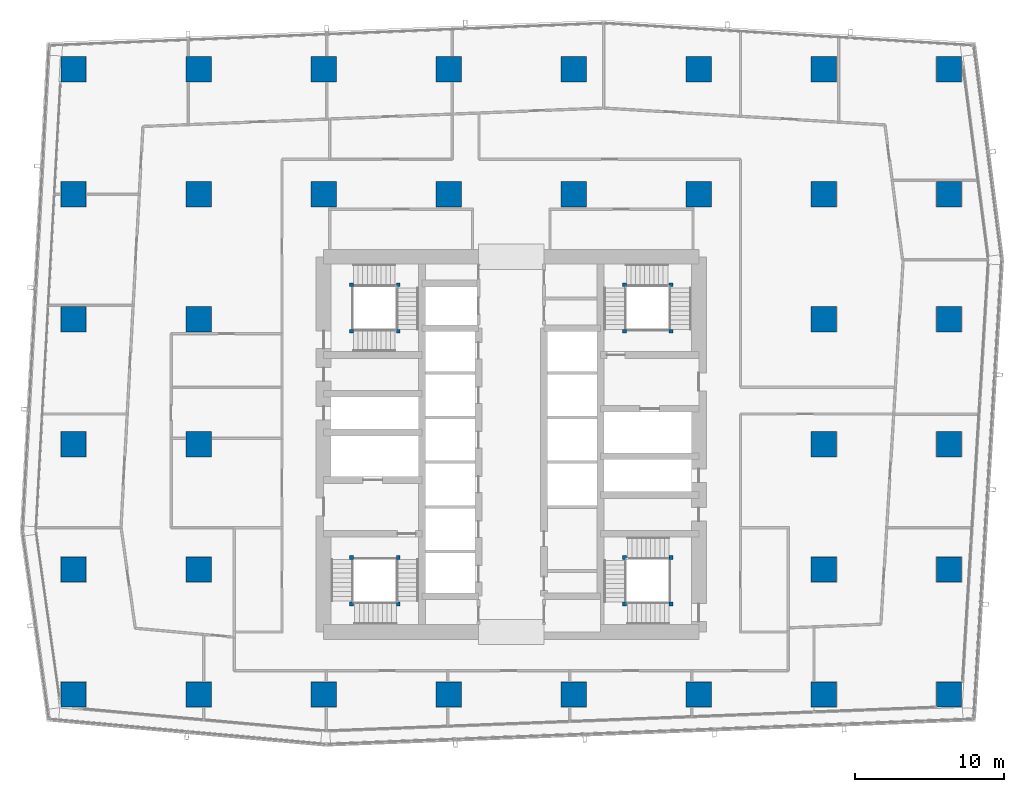
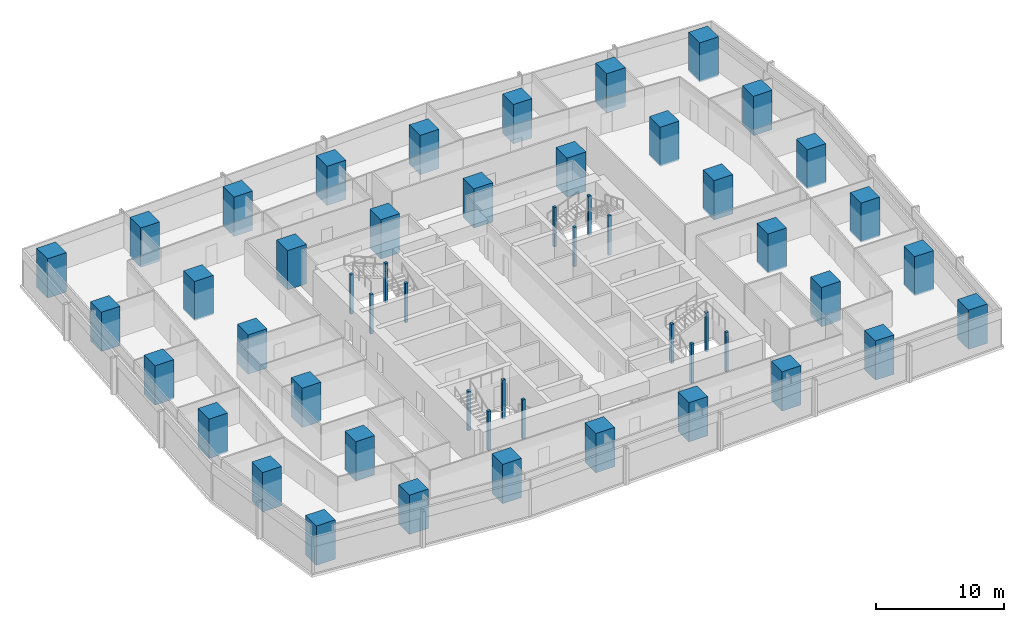
# One storey, part 1 of 40: 52 columns.
"""IFC4 building model written with IfcOpenShell, lengths in metres."""

from ifc_helpers import new_model, si_unit, direction, frame, origin, origin_2d, place, context, subcontext, project, spatial, rectangle, extrude, material, material_profile, profile_set, type_object, element, save


model = new_model("IFC4")

# Units and contexts
model_context = context("Model", 3, precision=1e-05, world=origin(), true_north=direction((0.0, 1.0)))
body_context = subcontext(model_context, "Body", "Model", "MODEL_VIEW")
ifc_project = project(units=[si_unit("LENGTHUNIT", "METRE"), si_unit("AREAUNIT", "SQUARE_METRE"), si_unit("VOLUMEUNIT", "CUBIC_METRE"), si_unit("PLANEANGLEUNIT", "RADIAN"), si_unit("MASSUNIT", "GRAM", prefix="KILO")], contexts=[model_context])

# Site, building, storey
site_placement = place(None, origin())
site = spatial("IfcSite", under=ifc_project, at=site_placement, CompositionType="ELEMENT")
building_placement = place(site_placement, origin())
building = spatial("IfcBuilding", under=site, at=building_placement, Name="Rekha Terrace Tower", CompositionType="ELEMENT")
storey_placement = place(building_placement, frame((0.0, 0.0, 140.300048828125)))
storey = spatial("IfcBuildingStorey", under=building, at=storey_placement, Name="L35", CompositionType="ELEMENT", Elevation=140.300048828125)

# Columns
ifc_material_1 = material(Name="Concrete M70", Category="concrete")
ifc_material_profile_1 = material_profile(ifc_material_1, rectangle(XDim=1.699951171875, YDim=1.699951171875, at=origin_2d()), Name="RC 1700x1700")
ifc_profile_set_1 = profile_set([ifc_material_profile_1], Name="Concrete M70")
column_type_1 = type_object("IfcColumnType", Name="C3 1700x1700 column", PredefinedType="COLUMN", material=ifc_profile_set_1)
for number, where, z_axis, x_axis, name in (
    (1, (8.39990234375, 16.800048828125, 0.0), (0.0, 0.0, 1.0), (1.0, 0.0, 0.0), "Column C3 2/C L35"),
    (2, (8.39990234375, 25.199951171875, 0.0), (0.0, 0.0, 1.0), (1.0, 0.0, 0.0), "Column C3 2/D L35"),
    (3, (8.39990234375, 33.60009765625, 0.0), (0.0, 0.0, 1.0), (1.0, 0.0, 0.0), "Column C3 2/E L35"),
    (4, (8.39990234375, 42.0, 0.0), (0.0, 0.0, 1.0), (1.0, 0.0, 0.0), "Column C3 2/F L35"),
    (5, (8.39990234375, 50.39990234375, 0.0), (0.0, 0.0, 1.0), (1.0, 0.0, 0.0), "Column C3 2/G L35"),
    (6, (8.39990234375, 58.800048828125, 0.0), (0.0, 0.0, 1.0), (1.0, 0.0, 0.0), "Column C3 2/H L35"),
    (7, (16.800048828125, 16.800048828125, 0.0), (0.0, 0.0, 1.0), (1.0, 0.0, 0.0), "Column C3 3/C L35"),
    (8, (16.800048828125, 25.199951171875, 0.0), (0.0, 0.0, 1.0), (1.0, 0.0, 0.0), "Column C3 3/D L35"),
    (9, (16.800048828125, 33.60009765625, 0.0), (0.0, 0.0, 1.0), (1.0, 0.0, 0.0), "Column C3 3/E L35"),
    (10, (16.800048828125, 42.0, 0.0), (0.0, 0.0, 1.0), (1.0, 0.0, 0.0), "Column C3 3/F L35"),
    (11, (16.800048828125, 50.39990234375, 0.0), (0.0, 0.0, 1.0), (1.0, 0.0, 0.0), "Column C3 3/G L35"),
    (12, (16.800048828125, 58.800048828125, 0.0), (0.0, 0.0, 1.0), (1.0, 0.0, 0.0), "Column C3 3/H L35"),
    (13, (25.199951171875, 16.800048828125, 0.0), (0.0, 0.0, 1.0), (1.0, 0.0, 0.0), "Column C3 4/C L35"),
    (14, (25.199951171875, 50.39990234375, 0.0), (0.0, 0.0, 1.0), (1.0, 0.0, 0.0), "Column C3 4/G L35"),
    (15, (25.199951171875, 58.800048828125, 0.0), (0.0, 0.0, 1.0), (1.0, 0.0, 0.0), "Column C3 4/H L35"),
    (16, (33.60009765625, 16.800048828125, 0.0), (0.0, 0.0, 1.0), (1.0, 0.0, 0.0), "Column C3 5/C L35"),
    (17, (33.60009765625, 50.39990234375, 0.0), (0.0, 0.0, 1.0), (1.0, 0.0, 0.0), "Column C3 5/G L35"),
    (18, (33.60009765625, 58.800048828125, 0.0), (0.0, 0.0, 1.0), (1.0, 0.0, 0.0), "Column C3 5/H L35"),
    (19, (42.0, 16.800048828125, 0.0), (0.0, 0.0, 1.0), (1.0, 0.0, 0.0), "Column C3 6/C L35"),
    (20, (42.0, 50.39990234375, 0.0), (0.0, 0.0, 1.0), (1.0, 0.0, 0.0), "Column C3 6/G L35"),
    (21, (42.0, 58.800048828125, 0.0), (0.0, 0.0, 1.0), (1.0, 0.0, 0.0), "Column C3 6/H L35"),
    (22, (50.39990234375, 16.800048828125, 0.0), (0.0, 0.0, 1.0), (1.0, 0.0, 0.0), "Column C3 7/C L35"),
    (23, (50.39990234375, 50.39990234375, 0.0), (0.0, 0.0, 1.0), (1.0, 0.0, 0.0), "Column C3 7/G L35"),
    (24, (50.39990234375, 58.800048828125, 0.0), (0.0, 0.0, 1.0), (1.0, 0.0, 0.0), "Column C3 7/H L35"),
    (25, (58.800048828125, 16.800048828125, 0.0), (0.0, 0.0, 1.0), (1.0, 0.0, 0.0), "Column C3 8/C L35"),
    (26, (58.800048828125, 25.199951171875, 0.0), (0.0, 0.0, 1.0), (1.0, 0.0, 0.0), "Column C3 8/D L35"),
    (27, (58.800048828125, 33.60009765625, 0.0), (0.0, 0.0, 1.0), (1.0, 0.0, 0.0), "Column C3 8/E L35"),
    (28, (58.800048828125, 42.0, 0.0), (0.0, 0.0, 1.0), (1.0, 0.0, 0.0), "Column C3 8/F L35"),
    (29, (58.800048828125, 50.39990234375, 0.0), (0.0, 0.0, 1.0), (1.0, 0.0, 0.0), "Column C3 8/G L35"),
    (30, (58.800048828125, 58.800048828125, 0.0), (0.0, 0.0, 1.0), (1.0, 0.0, 0.0), "Column C3 8/H L35"),
    (31, (67.199951171875, 16.800048828125, 0.0), (0.0, 0.0, 1.0), (1.0, 0.0, 0.0), "Column C3 9/C L35"),
    (32, (67.199951171875, 25.199951171875, 0.0), (0.0, 0.0, 1.0), (1.0, 0.0, 0.0), "Column C3 9/D L35"),
    (33, (67.199951171875, 33.60009765625, 0.0), (0.0, 0.0, 1.0), (1.0, 0.0, 0.0), "Column C3 9/E L35"),
    (34, (67.199951171875, 42.0, 0.0), (0.0, 0.0, 1.0), (1.0, 0.0, 0.0), "Column C3 9/F L35"),
    (35, (67.199951171875, 50.39990234375, 0.0), (0.0, 0.0, 1.0), (1.0, 0.0, 0.0), "Column C3 9/G L35"),
    (36, (67.199951171875, 58.800048828125, 0.0), (0.0, 0.0, 1.0), (1.0, 0.0, 0.0), "Column C3 9/H L35"),
):
    element("IfcColumn", number, at=place(storey_placement, frame(where, z_axis=z_axis, x_axis=x_axis)), inside=storey, type_object=column_type_1, Name=name, PredefinedType="COLUMN", context=body_context, shape_type="SweptSolid", body=[
        extrude(rectangle(XDim=1.699951171875, YDim=1.699951171875, at=origin_2d()), origin(), (0.0, 0.0, 1.0), 3.75),
    ])
ifc_material_2 = material(Name="Concrete M60", Category="concrete")
ifc_material_profile_2 = material_profile(ifc_material_2, rectangle(XDim=0.25, YDim=0.25, at=origin_2d()), Name="RC 250x250")
ifc_profile_set_2 = profile_set([ifc_material_profile_2], Name="Concrete M60")
column_type_2 = type_object("IfcColumnType", Name="NP1 250x250 stair newel post", PredefinedType="COLUMN", material=ifc_profile_set_2)
for number, where, z_axis, x_axis, name in (
    (37, (30.199951171875, 26.0, 0.0), (0.0, 0.0, 1.0), (1.0, 0.0, 0.0), "Stair newel post NP1"),
    (38, (30.199951171875, 22.875, 0.0), (0.0, 0.0, 1.0), (1.0, 0.0, 0.0), "Stair newel post NP1"),
    (39, (27.074951171875, 22.875, 0.0), (0.0, 0.0, 1.0), (1.0, 0.0, 0.0), "Stair newel post NP1"),
    (40, (27.074951171875, 26.0, 0.0), (0.0, 0.0, 1.0), (1.0, 0.0, 0.0), "Stair newel post NP1"),
    (41, (45.39990234375, 41.199951171875, 0.0), (0.0, 0.0, 1.0), (1.0, 0.0, 0.0), "Stair newel post NP1"),
    (42, (45.39990234375, 44.324951171875, 0.0), (0.0, 0.0, 1.0), (1.0, 0.0, 0.0), "Stair newel post NP1"),
    (43, (48.52490234375, 44.324951171875, 0.0), (0.0, 0.0, 1.0), (1.0, 0.0, 0.0), "Stair newel post NP1"),
    (44, (48.52490234375, 41.199951171875, 0.0), (0.0, 0.0, 1.0), (1.0, 0.0, 0.0), "Stair newel post NP1"),
    (45, (48.52490234375, 22.875, 0.0), (0.0, 0.0, 1.0), (1.0, 0.0, 0.0), "Stair newel post NP1"),
    (46, (45.39990234375, 22.875, 0.0), (0.0, 0.0, 1.0), (1.0, 0.0, 0.0), "Stair newel post NP1"),
    (47, (45.39990234375, 26.0, 0.0), (0.0, 0.0, 1.0), (1.0, 0.0, 0.0), "Stair newel post NP1"),
    (48, (48.52490234375, 26.0, 0.0), (0.0, 0.0, 1.0), (1.0, 0.0, 0.0), "Stair newel post NP1"),
    (49, (27.074951171875, 41.199951171875, 0.0), (0.0, 0.0, 1.0), (1.0, 0.0, 0.0), "Stair newel post NP1"),
    (50, (30.199951171875, 41.199951171875, 0.0), (0.0, 0.0, 1.0), (1.0, 0.0, 0.0), "Stair newel post NP1"),
    (51, (30.199951171875, 44.324951171875, 0.0), (0.0, 0.0, 1.0), (1.0, 0.0, 0.0), "Stair newel post NP1"),
    (52, (27.074951171875, 44.324951171875, 0.0), (0.0, 0.0, 1.0), (1.0, 0.0, 0.0), "Stair newel post NP1"),
):
    element("IfcColumn", number, at=place(storey_placement, frame(where, z_axis=z_axis, x_axis=x_axis)), inside=storey, type_object=column_type_2, Name=name, PredefinedType="COLUMN", context=body_context, shape_type="SweptSolid", body=[
        extrude(rectangle(XDim=0.25, YDim=0.25, at=origin_2d()), origin(), (0.0, 0.0, 1.0), 3.75),
    ])

save(model, "model.ifc")
